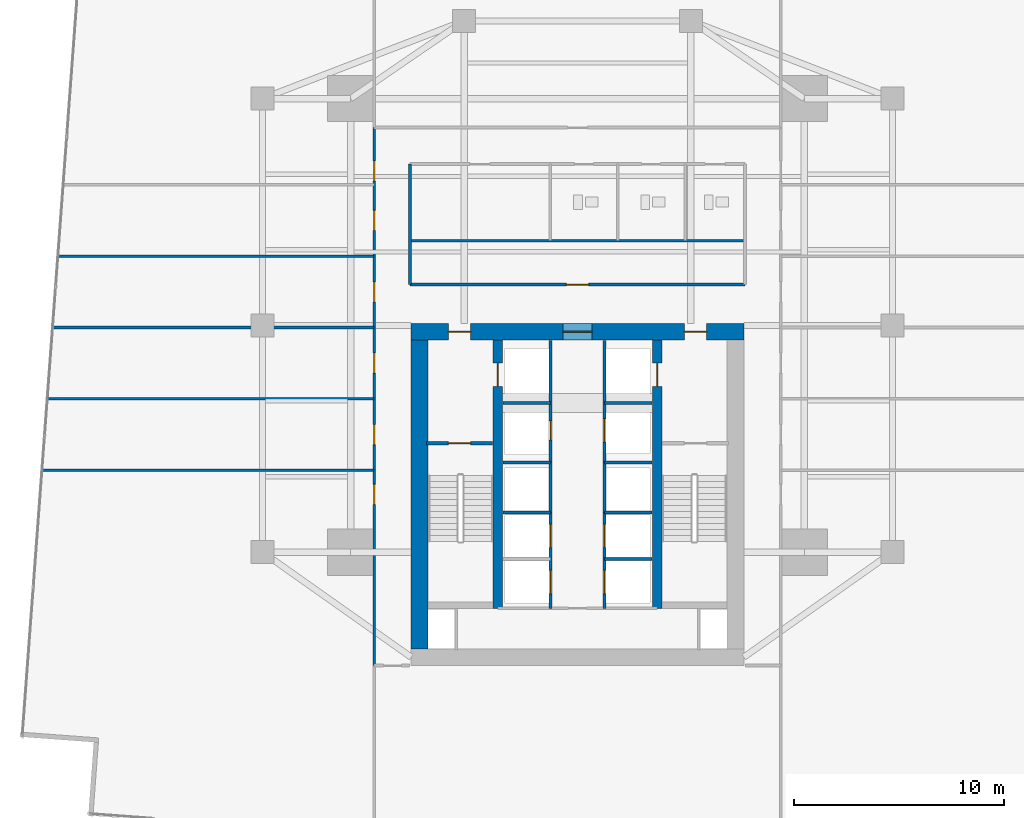
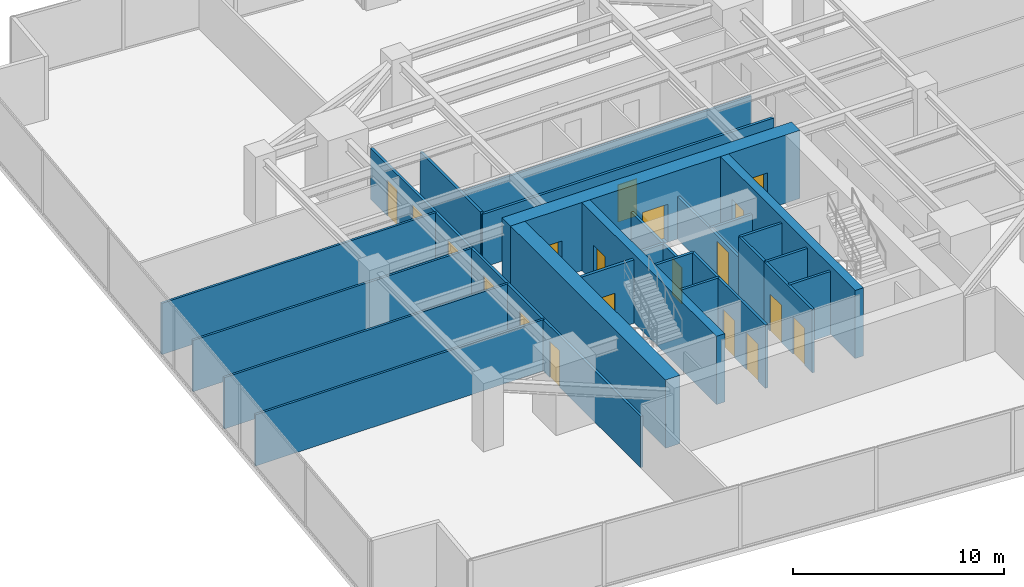
# One storey, part 26 of 30: 26 walls, 19 doors, 19 openings.
"""IFC4 building model written with IfcOpenShell, lengths in metres."""

from ifc_helpers import new_model, si_unit, direction, frame, frame_2d, origin, place, context, subcontext, project, spatial, rectangle, extrude, material, layer, layer_set, type_object, element, fill, save


model = new_model("IFC4")

# Units and contexts
model_context = context("Model", 3, precision=1e-05, world=origin(), true_north=direction((0.0, 1.0)))
body_context = subcontext(model_context, "Body", "Model", "MODEL_VIEW")
ifc_project = project(units=[si_unit("LENGTHUNIT", "METRE"), si_unit("AREAUNIT", "SQUARE_METRE"), si_unit("VOLUMEUNIT", "CUBIC_METRE"), si_unit("PLANEANGLEUNIT", "RADIAN"), si_unit("MASSUNIT", "GRAM", prefix="KILO")], contexts=[model_context])

# Site, building, storey
site_placement = place(None, origin())
site = spatial("IfcSite", under=ifc_project, at=site_placement, CompositionType="ELEMENT")
building_placement = place(site_placement, origin())
building = spatial("IfcBuilding", under=site, at=building_placement, Name="Krantzveldt Concourse Tower", CompositionType="ELEMENT")
storey_placement = place(building_placement, frame((0.0, 0.0, 48.699951171875)))
storey = spatial("IfcBuildingStorey", under=building, at=storey_placement, Name="L11", CompositionType="ELEMENT", Elevation=48.699951171875)

# Walls
ifc_material_1 = material(Name="Fire-rated gypsum plasterboard on steel stud", Category="steel")
ifc_layer_1 = layer(ifc_material_1, 0.1201171875, Name="Fire-rated gypsum plasterboard on steel stud", Category="steel")
ifc_layer_set_1 = layer_set([ifc_layer_1], Name="Fire-rated gypsum plasterboard on steel stud (WL-PART-120)")
wall_type_1 = type_object("IfcWallType", Name="WL-PART-120", PredefinedType="PARTITIONING", material=ifc_layer_set_1)
wall_1_placement = place(storey_placement, frame((28.02001953125, 30.739990234375, 0.0), z_axis=(0.0, 0.0, 1.0), x_axis=(1.0, 0.0, 0.0)))
element("IfcWall", 1, at=wall_1_placement, inside=storey, type_object=wall_type_1, Name="WP-L11-ISLM", PredefinedType="PARTITIONING", context=body_context, shape_type="SweptSolid", body=[
    extrude(rectangle(XDim=15.9599609375, YDim=0.1201171875, at=frame_2d((7.97998046875, 0.0))), origin(), (0.0, 0.0, 1.0), 3.080078125),
])
wall_2_placement = place(storey_placement, frame((10.508544921875, 19.800048828125, 0.0), z_axis=(0.0, 0.0, 1.0), x_axis=(1.0, 0.0, 0.0)))
element("IfcWall", 2, at=wall_2_placement, inside=storey, type_object=wall_type_1, Name="WP-L11-WD1", PredefinedType="PARTITIONING", context=body_context, shape_type="SweptSolid", body=[
    extrude(rectangle(XDim=15.8115234375, YDim=0.1201171875, at=frame_2d((7.90576171875, 0.0))), origin(), (0.0, 0.0, 1.0), 2.969970703125),
])
wall_3_placement = place(storey_placement, frame((10.76123046875, 23.199951171875, 0.0), z_axis=(0.0, 0.0, 1.0), x_axis=(1.0, 0.0, 0.0)))
element("IfcWall", 3, at=wall_3_placement, inside=storey, type_object=wall_type_1, Name="WP-L11-WD2", PredefinedType="PARTITIONING", context=body_context, shape_type="SweptSolid", body=[
    extrude(rectangle(XDim=15.558837890625, YDim=0.1201171875, at=frame_2d((7.779296875, 0.0))), origin(), (0.0, 0.0, 1.0), 2.969970703125),
])
wall_4_placement = place(storey_placement, frame((11.013916015625, 26.60009765625, 0.0), z_axis=(0.0, 0.0, 1.0), x_axis=(1.0, 0.0, 0.0)))
element("IfcWall", 4, at=wall_4_placement, inside=storey, type_object=wall_type_1, Name="WP-L11-WD3", PredefinedType="PARTITIONING", context=body_context, shape_type="SweptSolid", body=[
    extrude(rectangle(XDim=15.30615234375, YDim=0.1201171875, at=frame_2d((7.653076171875, 0.0))), origin(), (0.0, 0.0, 1.0), 2.969970703125),
])
wall_5_placement = place(storey_placement, frame((11.2666015625, 30.0, 0.0), z_axis=(0.0, 0.0, 1.0), x_axis=(1.0, 0.0, 0.0)))
element("IfcWall", 5, at=wall_5_placement, inside=storey, type_object=wall_type_1, Name="WP-L11-WD4", PredefinedType="PARTITIONING", context=body_context, shape_type="SweptSolid", body=[
    extrude(rectangle(XDim=15.053466796875, YDim=0.1201171875, at=frame_2d((7.52685546875, 0.0))), origin(), (0.0, 0.0, 1.0), 2.969970703125),
])

# Wall, opening, door
ifc_layer_2 = layer(ifc_material_1, 0.139892578125, Name="Fire-rated gypsum plasterboard on steel stud", Category="steel")
ifc_layer_set_2 = layer_set([ifc_layer_2], Name="Fire-rated gypsum plasterboard on steel stud (WL-PART-140)")
wall_type_2 = type_object("IfcWallType", Name="WL-PART-140", PredefinedType="PARTITIONING", material=ifc_layer_set_2)
wall_6_placement = place(storey_placement, frame((28.02001953125, 28.639892578125, 0.0), z_axis=(0.0, 0.0, 1.0), x_axis=(1.0, 0.0, 0.0)))
wall_6 = element("IfcWall", 6, at=wall_6_placement, inside=storey, type_object=wall_type_2, Name="WP-L11-ISLS", PredefinedType="PARTITIONING", context=body_context, shape_type="SweptSolid", body=[
    extrude(rectangle(XDim=15.9599609375, YDim=0.139892578125, at=frame_2d((7.97998046875, 0.0))), origin(), (0.0, 0.0, 1.0), 3.080078125),
])
opening_1_placement = place(wall_6_placement, frame((7.455078125, 0.0, 0.0)))
opening_1 = element("IfcOpeningElement", 7, at=opening_1_placement, cuts=wall_6, Name="Opening D-IN105", PredefinedType="OPENING", context=body_context, shape_type="SweptSolid", body=[
    extrude(rectangle(XDim=1.050048828125, YDim=2.14990234375, at=frame_2d((0.52490234375, 1.074951171875))), frame((0.0, 0.080078125, 0.0), z_axis=(0.0, -1.0, 0.0), x_axis=(1.0, 0.0, 0.0)), (0.0, 0.0, 1.0), 0.159912109375),
])
ifc_material_2 = material(Name="Hardwood timber", Category="wood")
door_type_1 = type_object("IfcDoorType", Name="DR-INT-1050", OperationType="SINGLE_SWING_LEFT", PredefinedType="DOOR", material=ifc_material_2)
door_1_placement = place(opening_1_placement, origin())
door_1 = element("IfcDoor", 8, at=door_1_placement, inside=storey, type_object=door_type_1, Name="DR-L11-MIDB", OperationType="SINGLE_SWING_LEFT", OverallHeight=2.14990234375, OverallWidth=1.050048828125, PredefinedType="DOOR", context=body_context, shape_type="SweptSolid", body=[
    extrude(rectangle(XDim=1.050048828125, YDim=2.14990234375, at=frame_2d((0.52490234375, 1.074951171875))), frame((0.0, 0.02490234375, 0.0), z_axis=(0.0, -1.0, 0.0), x_axis=(1.0, 0.0, 0.0)), (0.0, 0.0, 1.0), 0.050048828125),
])
fill(opening_1, door_1)

# Wall
wall_7_placement = place(storey_placement, frame((28.02001953125, 28.639892578125, 0.0), z_axis=(0.0, 0.0, 1.0), x_axis=(0.0, 1.0, 0.0)))
element("IfcWall", 9, at=wall_7_placement, inside=storey, type_object=wall_type_2, Name="WP-L11-ISLW", PredefinedType="PARTITIONING", context=body_context, shape_type="SweptSolid", body=[
    extrude(rectangle(XDim=5.739990234375, YDim=0.139892578125, at=frame_2d((2.8701171875, 0.0))), origin(), (0.0, 0.0, 1.0), 3.219970703125),
])

# Wall, openings, doors
wall_8_placement = place(storey_placement, frame((26.320068359375, 10.5, 0.0), z_axis=(0.0, 0.0, 1.0), x_axis=(0.0, 1.0, 0.0)))
wall_8 = element("IfcWall", 10, at=wall_8_placement, inside=storey, type_object=wall_type_2, Name="WP-L11-CWEST", PredefinedType="PARTITIONING", context=body_context, shape_type="SweptSolid", body=[
    extrude(rectangle(XDim=25.6201171875, YDim=0.139892578125, at=frame_2d((12.81005859375, 0.0))), origin(), (0.0, 0.0, 1.0), 2.969970703125),
])
opening_2_placement = place(wall_8_placement, frame((7.675048828125, 0.0, 0.0)))
opening_2 = element("IfcOpeningElement", 11, at=opening_2_placement, cuts=wall_8, Name="Opening D-IN095", PredefinedType="OPENING", context=body_context, shape_type="SweptSolid", body=[
    extrude(rectangle(XDim=0.949951171875, YDim=2.10009765625, at=frame_2d((0.47509765625, 1.050048828125))), frame((0.0, 0.080078125, 0.0), z_axis=(0.0, -1.0, 0.0), x_axis=(1.0, 0.0, 0.0)), (0.0, 0.0, 1.0), 0.159912109375),
])
opening_3_placement = place(wall_8_placement, frame((10.52490234375, 0.0, 0.0)))
opening_3 = element("IfcOpeningElement", 12, at=opening_3_placement, cuts=wall_8, Name="Opening D-IN095", PredefinedType="OPENING", context=body_context, shape_type="SweptSolid", body=[
    extrude(rectangle(XDim=0.949951171875, YDim=2.10009765625, at=frame_2d((0.47509765625, 1.050048828125))), frame((0.0, 0.080078125, 0.0), z_axis=(0.0, -1.0, 0.0), x_axis=(1.0, 0.0, 0.0)), (0.0, 0.0, 1.0), 0.159912109375),
])
opening_4_placement = place(wall_8_placement, frame((13.925048828125, 0.0, 0.0)))
opening_4 = element("IfcOpeningElement", 13, at=opening_4_placement, cuts=wall_8, Name="Opening D-IN095", PredefinedType="OPENING", context=body_context, shape_type="SweptSolid", body=[
    extrude(rectangle(XDim=0.949951171875, YDim=2.10009765625, at=frame_2d((0.47509765625, 1.050048828125))), frame((0.0, 0.080078125, 0.0), z_axis=(0.0, -1.0, 0.0), x_axis=(1.0, 0.0, 0.0)), (0.0, 0.0, 1.0), 0.159912109375),
])
opening_5_placement = place(wall_8_placement, frame((17.324951171875, 0.0, 0.0)))
opening_5 = element("IfcOpeningElement", 14, at=opening_5_placement, cuts=wall_8, Name="Opening D-IN095", PredefinedType="OPENING", context=body_context, shape_type="SweptSolid", body=[
    extrude(rectangle(XDim=0.949951171875, YDim=2.10009765625, at=frame_2d((0.47509765625, 1.050048828125))), frame((0.0, 0.080078125, 0.0), z_axis=(0.0, -1.0, 0.0), x_axis=(1.0, 0.0, 0.0)), (0.0, 0.0, 1.0), 0.159912109375),
])
opening_6_placement = place(wall_8_placement, frame((20.72509765625, 0.0, 0.0)))
opening_6 = element("IfcOpeningElement", 15, at=opening_6_placement, cuts=wall_8, Name="Opening D-IN095", PredefinedType="OPENING", context=body_context, shape_type="SweptSolid", body=[
    extrude(rectangle(XDim=0.949951171875, YDim=2.10009765625, at=frame_2d((0.47509765625, 1.050048828125))), frame((0.0, 0.080078125, 0.0), z_axis=(0.0, -1.0, 0.0), x_axis=(1.0, 0.0, 0.0)), (0.0, 0.0, 1.0), 0.159912109375),
])
opening_7_placement = place(wall_8_placement, frame((23.074951171875, 0.0, 0.0)))
opening_7 = element("IfcOpeningElement", 16, at=opening_7_placement, cuts=wall_8, Name="Opening D-IN095", PredefinedType="OPENING", context=body_context, shape_type="SweptSolid", body=[
    extrude(rectangle(XDim=0.949951171875, YDim=2.10009765625, at=frame_2d((0.47509765625, 1.050048828125))), frame((0.0, 0.080078125, 0.0), z_axis=(0.0, -1.0, 0.0), x_axis=(1.0, 0.0, 0.0)), (0.0, 0.0, 1.0), 0.159912109375),
])
door_type_2 = type_object("IfcDoorType", Name="DR-INT-950", OperationType="SINGLE_SWING_LEFT", PredefinedType="DOOR", material=ifc_material_2)
door_2_placement = place(opening_2_placement, origin())
door_2 = element("IfcDoor", 17, at=door_2_placement, inside=storey, type_object=door_type_2, Name="DR-L11-WR1", OperationType="SINGLE_SWING_LEFT", OverallHeight=2.10009765625, OverallWidth=0.949951171875, PredefinedType="DOOR", context=body_context, shape_type="SweptSolid", body=[
    extrude(rectangle(XDim=0.949951171875, YDim=2.10009765625, at=frame_2d((0.47509765625, 1.050048828125))), frame((0.0, 0.02490234375, 0.0), z_axis=(0.0, -1.0, 0.0), x_axis=(1.0, 0.0, 0.0)), (0.0, 0.0, 1.0), 0.050048828125),
])
fill(opening_2, door_2)
door_3_placement = place(opening_3_placement, origin())
door_3 = element("IfcDoor", 18, at=door_3_placement, inside=storey, type_object=door_type_2, Name="DR-L11-WR2", OperationType="SINGLE_SWING_LEFT", OverallHeight=2.10009765625, OverallWidth=0.949951171875, PredefinedType="DOOR", context=body_context, shape_type="SweptSolid", body=[
    extrude(rectangle(XDim=0.949951171875, YDim=2.10009765625, at=frame_2d((0.47509765625, 1.050048828125))), frame((0.0, 0.02490234375, 0.0), z_axis=(0.0, -1.0, 0.0), x_axis=(1.0, 0.0, 0.0)), (0.0, 0.0, 1.0), 0.050048828125),
])
fill(opening_3, door_3)
door_4_placement = place(opening_4_placement, origin())
door_4 = element("IfcDoor", 19, at=door_4_placement, inside=storey, type_object=door_type_2, Name="DR-L11-WR3", OperationType="SINGLE_SWING_LEFT", OverallHeight=2.10009765625, OverallWidth=0.949951171875, PredefinedType="DOOR", context=body_context, shape_type="SweptSolid", body=[
    extrude(rectangle(XDim=0.949951171875, YDim=2.10009765625, at=frame_2d((0.47509765625, 1.050048828125))), frame((0.0, 0.02490234375, 0.0), z_axis=(0.0, -1.0, 0.0), x_axis=(1.0, 0.0, 0.0)), (0.0, 0.0, 1.0), 0.050048828125),
])
fill(opening_4, door_4)
door_5_placement = place(opening_5_placement, origin())
door_5 = element("IfcDoor", 20, at=door_5_placement, inside=storey, type_object=door_type_2, Name="DR-L11-WR4", OperationType="SINGLE_SWING_LEFT", OverallHeight=2.10009765625, OverallWidth=0.949951171875, PredefinedType="DOOR", context=body_context, shape_type="SweptSolid", body=[
    extrude(rectangle(XDim=0.949951171875, YDim=2.10009765625, at=frame_2d((0.47509765625, 1.050048828125))), frame((0.0, 0.02490234375, 0.0), z_axis=(0.0, -1.0, 0.0), x_axis=(1.0, 0.0, 0.0)), (0.0, 0.0, 1.0), 0.050048828125),
])
fill(opening_5, door_5)
door_6_placement = place(opening_6_placement, origin())
door_6 = element("IfcDoor", 21, at=door_6_placement, inside=storey, type_object=door_type_2, Name="DR-L11-WR5", OperationType="SINGLE_SWING_LEFT", OverallHeight=2.10009765625, OverallWidth=0.949951171875, PredefinedType="DOOR", context=body_context, shape_type="SweptSolid", body=[
    extrude(rectangle(XDim=0.949951171875, YDim=2.10009765625, at=frame_2d((0.47509765625, 1.050048828125))), frame((0.0, 0.02490234375, 0.0), z_axis=(0.0, -1.0, 0.0), x_axis=(1.0, 0.0, 0.0)), (0.0, 0.0, 1.0), 0.050048828125),
])
fill(opening_6, door_6)
door_7_placement = place(opening_7_placement, origin())
door_7 = element("IfcDoor", 22, at=door_7_placement, inside=storey, type_object=door_type_2, Name="DR-L11-WR6", OperationType="SINGLE_SWING_LEFT", OverallHeight=2.10009765625, OverallWidth=0.949951171875, PredefinedType="DOOR", context=body_context, shape_type="SweptSolid", body=[
    extrude(rectangle(XDim=0.949951171875, YDim=2.10009765625, at=frame_2d((0.47509765625, 1.050048828125))), frame((0.0, 0.02490234375, 0.0), z_axis=(0.0, -1.0, 0.0), x_axis=(1.0, 0.0, 0.0)), (0.0, 0.0, 1.0), 0.050048828125),
])
fill(opening_7, door_7)

# Wall, opening, door
ifc_layer_3 = layer(ifc_material_1, 0.139892578125, Name="Fire-rated gypsum plasterboard on steel stud", Category="steel")
ifc_layer_set_3 = layer_set([ifc_layer_3], Name="Fire-rated gypsum plasterboard on steel stud (WL-PART-FR140)")
wall_type_3 = type_object("IfcWallType", Name="WL-PART-FR140", PredefinedType="PARTITIONING", material=ifc_layer_set_3)
wall_9_placement = place(storey_placement, frame((34.719970703125, 20.199951171875, 0.0), z_axis=(0.0, 0.0, 1.0), x_axis=(0.0, 1.0, 0.0)))
wall_9 = element("IfcWall", 23, at=wall_9_placement, inside=storey, type_object=wall_type_3, Name="WP-L11-SHNW", PredefinedType="PARTITIONING", context=body_context, shape_type="SweptSolid", body=[
    extrude(rectangle(XDim=5.780029296875, YDim=0.139892578125, at=frame_2d((2.89013671875, 0.0))), origin(), (0.0, 0.0, 1.0), 2.469970703125),
])
opening_8_placement = place(wall_9_placement, frame((1.050048828125, 0.0, 0.0)))
opening_8 = element("IfcOpeningElement", 24, at=opening_8_placement, cuts=wall_9, Name="Opening D-FD090", PredefinedType="OPENING", context=body_context, shape_type="SweptSolid", body=[
    extrude(rectangle(XDim=0.89990234375, YDim=2.10009765625, at=frame_2d((0.449951171875, 1.050048828125))), frame((0.0, 0.080078125, 0.0), z_axis=(0.0, -1.0, 0.0), x_axis=(1.0, 0.0, 0.0)), (0.0, 0.0, 1.0), 0.159912109375),
])
door_type_3 = type_object("IfcDoorType", Name="DR-FD60-900", OperationType="SINGLE_SWING_LEFT", PredefinedType="DOOR", material=ifc_material_2)
door_8_placement = place(opening_8_placement, origin())
door_8 = element("IfcDoor", 25, at=door_8_placement, inside=storey, type_object=door_type_3, Name="Electrical Riser Access Door L11", OperationType="SINGLE_SWING_LEFT", OverallHeight=2.10009765625, OverallWidth=0.89990234375, PredefinedType="DOOR", context=body_context, shape_type="SweptSolid", body=[
    extrude(rectangle(XDim=0.89990234375, YDim=2.10009765625, at=frame_2d((0.449951171875, 1.050048828125))), frame((0.0, 0.02490234375, 0.0), z_axis=(0.0, -1.0, 0.0), x_axis=(1.0, 0.0, 0.0)), (0.0, 0.0, 1.0), 0.050048828125),
])
fill(opening_8, door_8)

wall_10_placement = place(storey_placement, frame((37.280029296875, 20.199951171875, 0.0), z_axis=(0.0, 0.0, 1.0), x_axis=(0.0, 1.0, 0.0)))
wall_10 = element("IfcWall", 26, at=wall_10_placement, inside=storey, type_object=wall_type_3, Name="WP-L11-SHNE", PredefinedType="PARTITIONING", context=body_context, shape_type="SweptSolid", body=[
    extrude(rectangle(XDim=5.780029296875, YDim=0.139892578125, at=frame_2d((2.89013671875, 0.0))), origin(), (0.0, 0.0, 1.0), 2.469970703125),
])
opening_9_placement = place(wall_10_placement, frame((0.949951171875, 0.0, 0.0)))
opening_9 = element("IfcOpeningElement", 27, at=opening_9_placement, cuts=wall_10, Name="Opening LD", PredefinedType="OPENING", context=body_context, shape_type="SweptSolid", body=[
    extrude(rectangle(XDim=1.10009765625, YDim=2.14990234375, at=frame_2d((0.550048828125, 1.074951171875))), frame((0.0, 0.080078125, 0.0), z_axis=(0.0, -1.0, 0.0), x_axis=(1.0, 0.0, 0.0)), (0.0, 0.0, 1.0), 0.159912109375),
])
ifc_material_3 = material(Name="Stainless steel 316L", Category="steel")
door_type_4 = type_object("IfcDoorType", Name="DR-SLIDE-LD1100", OperationType="DOUBLE_DOOR_SLIDING", PredefinedType="DOOR", material=ifc_material_3)
door_9_placement = place(opening_9_placement, origin())
door_9 = element("IfcDoor", 28, at=door_9_placement, inside=storey, type_object=door_type_4, Name="LD-L11-GL1", OperationType="DOUBLE_DOOR_SLIDING", OverallHeight=2.14990234375, OverallWidth=1.10009765625, PredefinedType="DOOR", context=body_context, shape_type="SweptSolid", body=[
    extrude(rectangle(XDim=1.10009765625, YDim=2.14990234375, at=frame_2d((0.550048828125, 1.074951171875))), frame((0.0, 0.02490234375, 0.0), z_axis=(0.0, -1.0, 0.0), x_axis=(1.0, 0.0, 0.0)), (0.0, 0.0, 1.0), 0.050048828125),
])
fill(opening_9, door_9)

# Walls
for number, where, z_axis, x_axis, name in (
    (29, (32.449951171875, 23.0, 0.0), (0.0, 0.0, 1.0), (1.0, 0.0, 0.0), "WP-L11-RISH"),
    (30, (37.280029296875, 23.0, 0.0), (0.0, 0.0, 1.0), (1.0, 0.0, 0.0), "WP-L11-GLH"),
):
    element("IfcWall", number, at=place(storey_placement, frame(where, z_axis=z_axis, x_axis=x_axis)), inside=storey, type_object=wall_type_3, Name=name, PredefinedType="PARTITIONING", context=body_context, shape_type="SweptSolid", body=[
        extrude(rectangle(XDim=2.27001953125, YDim=0.139892578125, at=frame_2d((1.135009765625, 0.0))), origin(), (0.0, 0.0, 1.0), 2.469970703125),
    ])
for number, where, z_axis, x_axis, name in (
    (31, (34.719970703125, 17.780029296875, 0.0), (0.0, 0.0, 1.0), (0.0, 1.0, 0.0), "WP-L11-SHNW2"),
    (32, (37.280029296875, 17.780029296875, 0.0), (0.0, 0.0, 1.0), (0.0, 1.0, 0.0), "WP-L11-SHNE2"),
):
    element("IfcWall", number, at=place(storey_placement, frame(where, z_axis=z_axis, x_axis=x_axis)), inside=storey, type_object=wall_type_3, Name=name, PredefinedType="PARTITIONING", context=body_context, shape_type="SweptSolid", body=[
        extrude(rectangle(XDim=2.419921875, YDim=0.139892578125, at=frame_2d((1.2099609375, 0.0))), origin(), (0.0, 0.0, 1.0), 3.670166015625),
    ])
for number, where, z_axis, x_axis, name in (
    (33, (32.449951171875, 17.780029296875, 0.0), (0.0, 0.0, 1.0), (1.0, 0.0, 0.0), "WP-L11-DIVW2"),
    (34, (32.449951171875, 20.179931640625, 0.0), (0.0, 0.0, 1.0), (1.0, 0.0, 0.0), "WP-L11-DIVW3"),
    (35, (37.280029296875, 17.780029296875, 0.0), (0.0, 0.0, 1.0), (1.0, 0.0, 0.0), "WP-L11-DIVE2"),
    (36, (37.280029296875, 20.179931640625, 0.0), (0.0, 0.0, 1.0), (1.0, 0.0, 0.0), "WP-L11-DIVE3"),
):
    element("IfcWall", number, at=place(storey_placement, frame(where, z_axis=z_axis, x_axis=x_axis)), inside=storey, type_object=wall_type_3, Name=name, PredefinedType="PARTITIONING", context=body_context, shape_type="SweptSolid", body=[
        extrude(rectangle(XDim=2.27001953125, YDim=0.139892578125, at=frame_2d((1.135009765625, 0.0))), origin(), (0.0, 0.0, 1.0), 3.670166015625),
    ])

# Wall, openings, doors
wall_11_placement = place(storey_placement, frame((34.719970703125, 13.219970703125, 0.0), z_axis=(0.0, 0.0, 1.0), x_axis=(0.0, 1.0, 0.0)))
wall_11 = element("IfcWall", 37, at=wall_11_placement, inside=storey, type_object=wall_type_3, Name="WP-L11-SHSW", PredefinedType="PARTITIONING", context=body_context, shape_type="SweptSolid", body=[
    extrude(rectangle(XDim=4.56005859375, YDim=0.139892578125, at=frame_2d((2.280029296875, 0.0))), origin(), (0.0, 0.0, 1.0), 3.670166015625),
])
opening_10_placement = place(wall_11_placement, frame((0.7099609375, 0.0, 0.0)))
opening_10 = element("IfcOpeningElement", 38, at=opening_10_placement, cuts=wall_11, Name="Opening LD", PredefinedType="OPENING", context=body_context, shape_type="SweptSolid", body=[
    extrude(rectangle(XDim=1.10009765625, YDim=2.14990234375, at=frame_2d((0.550048828125, 1.074951171875))), frame((0.0, 0.080078125, 0.0), z_axis=(0.0, -1.0, 0.0), x_axis=(1.0, 0.0, 0.0)), (0.0, 0.0, 1.0), 0.159912109375),
])
opening_11_placement = place(wall_11_placement, frame((2.909912109375, 0.0, 0.0)))
opening_11 = element("IfcOpeningElement", 39, at=opening_11_placement, cuts=wall_11, Name="Opening LD", PredefinedType="OPENING", context=body_context, shape_type="SweptSolid", body=[
    extrude(rectangle(XDim=1.10009765625, YDim=2.14990234375, at=frame_2d((0.550048828125, 1.074951171875))), frame((0.0, 0.080078125, 0.0), z_axis=(0.0, -1.0, 0.0), x_axis=(1.0, 0.0, 0.0)), (0.0, 0.0, 1.0), 0.159912109375),
])
door_10_placement = place(opening_10_placement, origin())
door_10 = element("IfcDoor", 40, at=door_10_placement, inside=storey, type_object=door_type_4, Name="LD-L11-PL1", OperationType="DOUBLE_DOOR_SLIDING", OverallHeight=2.14990234375, OverallWidth=1.10009765625, PredefinedType="DOOR", context=body_context, shape_type="SweptSolid", body=[
    extrude(rectangle(XDim=1.10009765625, YDim=2.14990234375, at=frame_2d((0.550048828125, 1.074951171875))), frame((0.0, 0.02490234375, 0.0), z_axis=(0.0, -1.0, 0.0), x_axis=(1.0, 0.0, 0.0)), (0.0, 0.0, 1.0), 0.050048828125),
])
fill(opening_10, door_10)
door_11_placement = place(opening_11_placement, origin())
door_11 = element("IfcDoor", 41, at=door_11_placement, inside=storey, type_object=door_type_4, Name="LD-L11-PL2", OperationType="DOUBLE_DOOR_SLIDING", OverallHeight=2.14990234375, OverallWidth=1.10009765625, PredefinedType="DOOR", context=body_context, shape_type="SweptSolid", body=[
    extrude(rectangle(XDim=1.10009765625, YDim=2.14990234375, at=frame_2d((0.550048828125, 1.074951171875))), frame((0.0, 0.02490234375, 0.0), z_axis=(0.0, -1.0, 0.0), x_axis=(1.0, 0.0, 0.0)), (0.0, 0.0, 1.0), 0.050048828125),
])
fill(opening_11, door_11)

wall_12_placement = place(storey_placement, frame((37.280029296875, 13.219970703125, 0.0), z_axis=(0.0, 0.0, 1.0), x_axis=(0.0, 1.0, 0.0)))
wall_12 = element("IfcWall", 42, at=wall_12_placement, inside=storey, type_object=wall_type_3, Name="WP-L11-SHSE", PredefinedType="PARTITIONING", context=body_context, shape_type="SweptSolid", body=[
    extrude(rectangle(XDim=4.56005859375, YDim=0.139892578125, at=frame_2d((2.280029296875, 0.0))), origin(), (0.0, 0.0, 1.0), 3.670166015625),
])
opening_12_placement = place(wall_12_placement, frame((0.7099609375, 0.0, 0.0)))
opening_12 = element("IfcOpeningElement", 43, at=opening_12_placement, cuts=wall_12, Name="Opening LD", PredefinedType="OPENING", context=body_context, shape_type="SweptSolid", body=[
    extrude(rectangle(XDim=1.10009765625, YDim=2.14990234375, at=frame_2d((0.550048828125, 1.074951171875))), frame((0.0, 0.080078125, 0.0), z_axis=(0.0, -1.0, 0.0), x_axis=(1.0, 0.0, 0.0)), (0.0, 0.0, 1.0), 0.159912109375),
])
opening_13_placement = place(wall_12_placement, frame((2.909912109375, 0.0, 0.0)))
opening_13 = element("IfcOpeningElement", 44, at=opening_13_placement, cuts=wall_12, Name="Opening LD", PredefinedType="OPENING", context=body_context, shape_type="SweptSolid", body=[
    extrude(rectangle(XDim=1.10009765625, YDim=2.14990234375, at=frame_2d((0.550048828125, 1.074951171875))), frame((0.0, 0.080078125, 0.0), z_axis=(0.0, -1.0, 0.0), x_axis=(1.0, 0.0, 0.0)), (0.0, 0.0, 1.0), 0.159912109375),
])
door_12_placement = place(opening_12_placement, origin())
door_12 = element("IfcDoor", 45, at=door_12_placement, inside=storey, type_object=door_type_4, Name="LD-L11-PM1", OperationType="DOUBLE_DOOR_SLIDING", OverallHeight=2.14990234375, OverallWidth=1.10009765625, PredefinedType="DOOR", context=body_context, shape_type="SweptSolid", body=[
    extrude(rectangle(XDim=1.10009765625, YDim=2.14990234375, at=frame_2d((0.550048828125, 1.074951171875))), frame((0.0, 0.02490234375, 0.0), z_axis=(0.0, -1.0, 0.0), x_axis=(1.0, 0.0, 0.0)), (0.0, 0.0, 1.0), 0.050048828125),
])
fill(opening_12, door_12)
door_13_placement = place(opening_13_placement, origin())
door_13 = element("IfcDoor", 46, at=door_13_placement, inside=storey, type_object=door_type_4, Name="LD-L11-PM2", OperationType="DOUBLE_DOOR_SLIDING", OverallHeight=2.14990234375, OverallWidth=1.10009765625, PredefinedType="DOOR", context=body_context, shape_type="SweptSolid", body=[
    extrude(rectangle(XDim=1.10009765625, YDim=2.14990234375, at=frame_2d((0.550048828125, 1.074951171875))), frame((0.0, 0.02490234375, 0.0), z_axis=(0.0, -1.0, 0.0), x_axis=(1.0, 0.0, 0.0)), (0.0, 0.0, 1.0), 0.050048828125),
])
fill(opening_13, door_13)

# Wall
wall_13_placement = place(storey_placement, frame((37.280029296875, 15.580078125, 0.0), z_axis=(0.0, 0.0, 1.0), x_axis=(1.0, 0.0, 0.0)))
element("IfcWall", 47, at=wall_13_placement, inside=storey, type_object=wall_type_3, Name="WP-L11-DIVE1", PredefinedType="PARTITIONING", context=body_context, shape_type="SweptSolid", body=[
    extrude(rectangle(XDim=2.27001953125, YDim=0.139892578125, at=frame_2d((1.135009765625, 0.0))), origin(), (0.0, 0.0, 1.0), 3.670166015625),
])

# Wall, opening, door
ifc_layer_4 = layer(ifc_material_1, 0.159912109375, Name="Fire-rated gypsum plasterboard on steel stud", Category="steel")
ifc_layer_set_4 = layer_set([ifc_layer_4], Name="Fire-rated gypsum plasterboard on steel stud (WL-PART-FR160)")
wall_type_4 = type_object("IfcWallType", Name="WL-PART-FR160", PredefinedType="PARTITIONING", material=ifc_layer_set_4)
wall_14_placement = place(storey_placement, frame((28.800048828125, 21.080078125, 0.0), z_axis=(0.0, 0.0, 1.0), x_axis=(1.0, 0.0, 0.0)))
wall_14 = element("IfcWall", 48, at=wall_14_placement, inside=storey, type_object=wall_type_4, Name="WP-L11-ST1", PredefinedType="PARTITIONING", context=body_context, shape_type="SweptSolid", body=[
    extrude(rectangle(XDim=3.159912109375, YDim=0.159912109375, at=frame_2d((1.580078125, 0.0))), origin(), (0.0, 0.0, 1.0), 3.670166015625),
])
opening_14_placement = place(wall_14_placement, frame((1.054931640625, 0.0, 0.0)))
opening_14 = element("IfcOpeningElement", 49, at=opening_14_placement, cuts=wall_14, Name="Opening D-FD105", PredefinedType="OPENING", context=body_context, shape_type="SweptSolid", body=[
    extrude(rectangle(XDim=1.050048828125, YDim=2.10009765625, at=frame_2d((0.52490234375, 1.050048828125))), frame((0.0, 0.08984375, 0.0), z_axis=(0.0, -1.0, 0.0), x_axis=(1.0, 0.0, 0.0)), (0.0, 0.0, 1.0), 0.179931640625),
])
ifc_material_4 = material(Name="Galvanised steel", Category="steel")
door_type_5 = type_object("IfcDoorType", Name="DR-FD120-1050", OperationType="SINGLE_SWING_LEFT", PredefinedType="DOOR", material=ifc_material_4)
door_14_placement = place(opening_14_placement, origin())
door_14 = element("IfcDoor", 50, at=door_14_placement, inside=storey, type_object=door_type_5, Name="DR-L11-ST1", OperationType="SINGLE_SWING_RIGHT", OverallHeight=2.10009765625, OverallWidth=1.050048828125, PredefinedType="DOOR", context=body_context, shape_type="SweptSolid", body=[
    extrude(rectangle(XDim=1.050048828125, YDim=2.10009765625, at=frame_2d((0.52490234375, 1.050048828125))), frame((0.0, 0.02490234375, 0.0), z_axis=(0.0, -1.0, 0.0), x_axis=(1.0, 0.0, 0.0)), (0.0, 0.0, 1.0), 0.050048828125),
])
fill(opening_14, door_14)

ifc_material_5 = material(Name="Concrete C50/60", Category="concrete")
ifc_layer_5 = layer(ifc_material_5, 0.449951171875, Name="Concrete C50/60", Category="concrete")
ifc_layer_set_5 = layer_set([ifc_layer_5], Name="Concrete C50/60 (WL-SHEAR-450)")
wall_type_5 = type_object("IfcWallType", Name="WL-SHEAR-450", PredefinedType="SHEAR", material=ifc_layer_set_5)
wall_15_placement = place(storey_placement, frame((32.205078125, 13.219970703125, 0.0), z_axis=(0.0, 0.0, 1.0), x_axis=(0.0, 1.0, 0.0)))
wall_15 = element("IfcWall", 51, at=wall_15_placement, inside=storey, type_object=wall_type_5, Name="CW-L11-IW", PredefinedType="SHEAR", context=body_context, shape_type="SweptSolid", body=[
    extrude(rectangle(XDim=12.780029296875, YDim=0.449951171875, at=frame_2d((6.39013671875, 0.0))), origin(), (0.0, 0.0, 1.0), 3.949951171875),
])
opening_15_placement = place(wall_15_placement, frame((10.580078125, 0.0, 0.0)))
opening_15 = element("IfcOpeningElement", 52, at=opening_15_placement, cuts=wall_15, Name="Opening LD", PredefinedType="OPENING", context=body_context, shape_type="SweptSolid", body=[
    extrude(rectangle(XDim=1.10009765625, YDim=2.14990234375, at=frame_2d((0.550048828125, 1.074951171875))), frame((0.0, 0.23486328125, 0.0), z_axis=(0.0, -1.0, 0.0), x_axis=(1.0, 0.0, 0.0)), (0.0, 0.0, 1.0), 0.469970703125),
])
door_15_placement = place(opening_15_placement, origin())
door_15 = element("IfcDoor", 53, at=door_15_placement, inside=storey, type_object=door_type_4, Name="LD-L11-FL1", OperationType="DOUBLE_DOOR_SLIDING", OverallHeight=2.14990234375, OverallWidth=1.10009765625, PredefinedType="DOOR", context=body_context, shape_type="SweptSolid", body=[
    extrude(rectangle(XDim=1.10009765625, YDim=2.14990234375, at=frame_2d((0.550048828125, 1.074951171875))), frame((0.0, 0.02490234375, 0.0), z_axis=(0.0, -1.0, 0.0), x_axis=(1.0, 0.0, 0.0)), (0.0, 0.0, 1.0), 0.050048828125),
])
fill(opening_15, door_15)

wall_16_placement = place(storey_placement, frame((39.794921875, 13.219970703125, 0.0), z_axis=(0.0, 0.0, 1.0), x_axis=(0.0, 1.0, 0.0)))
wall_16 = element("IfcWall", 54, at=wall_16_placement, inside=storey, type_object=wall_type_5, Name="CW-L11-IE", PredefinedType="SHEAR", context=body_context, shape_type="SweptSolid", body=[
    extrude(rectangle(XDim=12.780029296875, YDim=0.449951171875, at=frame_2d((6.39013671875, 0.0))), origin(), (0.0, 0.0, 1.0), 3.949951171875),
])
opening_16_placement = place(wall_16_placement, frame((10.580078125, 0.0, 0.0)))
opening_16 = element("IfcOpeningElement", 55, at=opening_16_placement, cuts=wall_16, Name="Opening LD", PredefinedType="OPENING", context=body_context, shape_type="SweptSolid", body=[
    extrude(rectangle(XDim=1.10009765625, YDim=2.14990234375, at=frame_2d((0.550048828125, 1.074951171875))), frame((0.0, 0.23486328125, 0.0), z_axis=(0.0, -1.0, 0.0), x_axis=(1.0, 0.0, 0.0)), (0.0, 0.0, 1.0), 0.469970703125),
])
door_16_placement = place(opening_16_placement, origin())
door_16 = element("IfcDoor", 56, at=door_16_placement, inside=storey, type_object=door_type_4, Name="LD-L11-FL2", OperationType="DOUBLE_DOOR_SLIDING", OverallHeight=2.14990234375, OverallWidth=1.10009765625, PredefinedType="DOOR", context=body_context, shape_type="SweptSolid", body=[
    extrude(rectangle(XDim=1.10009765625, YDim=2.14990234375, at=frame_2d((0.550048828125, 1.074951171875))), frame((0.0, 0.02490234375, 0.0), z_axis=(0.0, -1.0, 0.0), x_axis=(1.0, 0.0, 0.0)), (0.0, 0.0, 1.0), 0.050048828125),
])
fill(opening_16, door_16)

# Wall, openings, doors
ifc_material_6 = material(Name="Concrete C60/75", Category="concrete")
ifc_layer_6 = layer(ifc_material_6, 0.800048828125, Name="Concrete C60/75", Category="concrete")
ifc_layer_set_6 = layer_set([ifc_layer_6], Name="Concrete C60/75 (WL-SHEAR-800)")
wall_type_6 = type_object("IfcWallType", Name="WL-SHEAR-800", PredefinedType="SHEAR", material=ifc_layer_set_6)
wall_17_placement = place(storey_placement, frame((28.080078125, 26.39990234375, 0.0), z_axis=(0.0, 0.0, 1.0), x_axis=(1.0, 0.0, 0.0)))
wall_17 = element("IfcWall", 57, at=wall_17_placement, inside=storey, type_object=wall_type_6, Name="CW-L11-N", PredefinedType="SHEAR", context=body_context, shape_type="SweptSolid", body=[
    extrude(rectangle(XDim=15.83984375, YDim=0.800048828125, at=frame_2d((7.919921875, 0.0))), origin(), (0.0, 0.0, 1.0), 3.949951171875),
])
opening_17_placement = place(wall_17_placement, frame((7.219970703125, 0.0, 0.0)))
opening_17 = element("IfcOpeningElement", 58, at=opening_17_placement, cuts=wall_17, Name="Opening D-DB140", PredefinedType="OPENING", context=body_context, shape_type="SweptSolid", body=[
    extrude(rectangle(XDim=1.39990234375, YDim=2.199951171875, at=frame_2d((0.699951171875, 1.10009765625))), frame((0.0, 0.41015625, 0.0), z_axis=(0.0, -1.0, 0.0), x_axis=(1.0, 0.0, 0.0)), (0.0, 0.0, 1.0), 0.820068359375),
])
opening_18_placement = place(wall_17_placement, frame((1.77490234375, 0.0, 0.0)))
opening_18 = element("IfcOpeningElement", 59, at=opening_18_placement, cuts=wall_17, Name="Opening D-FD105", PredefinedType="OPENING", context=body_context, shape_type="SweptSolid", body=[
    extrude(rectangle(XDim=1.050048828125, YDim=2.10009765625, at=frame_2d((0.52490234375, 1.050048828125))), frame((0.0, 0.41015625, 0.0), z_axis=(0.0, -1.0, 0.0), x_axis=(1.0, 0.0, 0.0)), (0.0, 0.0, 1.0), 0.820068359375),
])
opening_19_placement = place(wall_17_placement, frame((13.014892578125, 0.0, 0.0)))
opening_19 = element("IfcOpeningElement", 60, at=opening_19_placement, cuts=wall_17, Name="Opening D-FD105", PredefinedType="OPENING", context=body_context, shape_type="SweptSolid", body=[
    extrude(rectangle(XDim=1.050048828125, YDim=2.10009765625, at=frame_2d((0.52490234375, 1.050048828125))), frame((0.0, 0.41015625, 0.0), z_axis=(0.0, -1.0, 0.0), x_axis=(1.0, 0.0, 0.0)), (0.0, 0.0, 1.0), 0.820068359375),
])
ifc_material_7 = material(Name="Anodised aluminium 6063-T6", Category="aluminium")
door_type_6 = type_object("IfcDoorType", Name="DR-DBL-1400", OperationType="DOUBLE_DOOR_SINGLE_SWING", PredefinedType="DOOR", material=ifc_material_7)
door_17_placement = place(opening_17_placement, origin())
door_17 = element("IfcDoor", 61, at=door_17_placement, inside=storey, type_object=door_type_6, Name="DR-L11-LLB", OperationType="DOUBLE_DOOR_SINGLE_SWING", OverallHeight=2.199951171875, OverallWidth=1.39990234375, PredefinedType="DOOR", context=body_context, shape_type="SweptSolid", body=[
    extrude(rectangle(XDim=1.39990234375, YDim=2.199951171875, at=frame_2d((0.699951171875, 1.10009765625))), frame((0.0, 0.02490234375, 0.0), z_axis=(0.0, -1.0, 0.0), x_axis=(1.0, 0.0, 0.0)), (0.0, 0.0, 1.0), 0.050048828125),
])
fill(opening_17, door_17)
door_18_placement = place(opening_18_placement, origin())
door_18 = element("IfcDoor", 62, at=door_18_placement, inside=storey, type_object=door_type_5, Name="DR-L11-FFL1", OperationType="SINGLE_SWING_LEFT", OverallHeight=2.10009765625, OverallWidth=1.050048828125, PredefinedType="DOOR", context=body_context, shape_type="SweptSolid", body=[
    extrude(rectangle(XDim=1.050048828125, YDim=2.10009765625, at=frame_2d((0.52490234375, 1.050048828125))), frame((0.0, 0.02490234375, 0.0), z_axis=(0.0, -1.0, 0.0), x_axis=(1.0, 0.0, 0.0)), (0.0, 0.0, 1.0), 0.050048828125),
])
fill(opening_18, door_18)
door_19_placement = place(opening_19_placement, origin())
door_19 = element("IfcDoor", 63, at=door_19_placement, inside=storey, type_object=door_type_5, Name="DR-L11-FFL2", OperationType="SINGLE_SWING_RIGHT", OverallHeight=2.10009765625, OverallWidth=1.050048828125, PredefinedType="DOOR", context=body_context, shape_type="SweptSolid", body=[
    extrude(rectangle(XDim=1.050048828125, YDim=2.10009765625, at=frame_2d((0.52490234375, 1.050048828125))), frame((0.0, 0.02490234375, 0.0), z_axis=(0.0, -1.0, 0.0), x_axis=(1.0, 0.0, 0.0)), (0.0, 0.0, 1.0), 0.050048828125),
])
fill(opening_19, door_19)

# Wall
wall_18_placement = place(storey_placement, frame((28.47998046875, 11.300048828125, 0.0), z_axis=(0.0, 0.0, 1.0), x_axis=(0.0, 1.0, 0.0)))
element("IfcWall", 64, at=wall_18_placement, inside=storey, type_object=wall_type_6, Name="CW-L11-W", PredefinedType="SHEAR", context=body_context, shape_type="SweptSolid", body=[
    extrude(rectangle(XDim=14.699951171875, YDim=0.800048828125, at=frame_2d((7.35009765625, 0.0))), origin(), (0.0, 0.0, 1.0), 3.949951171875),
])

save(model, "model.ifc")
